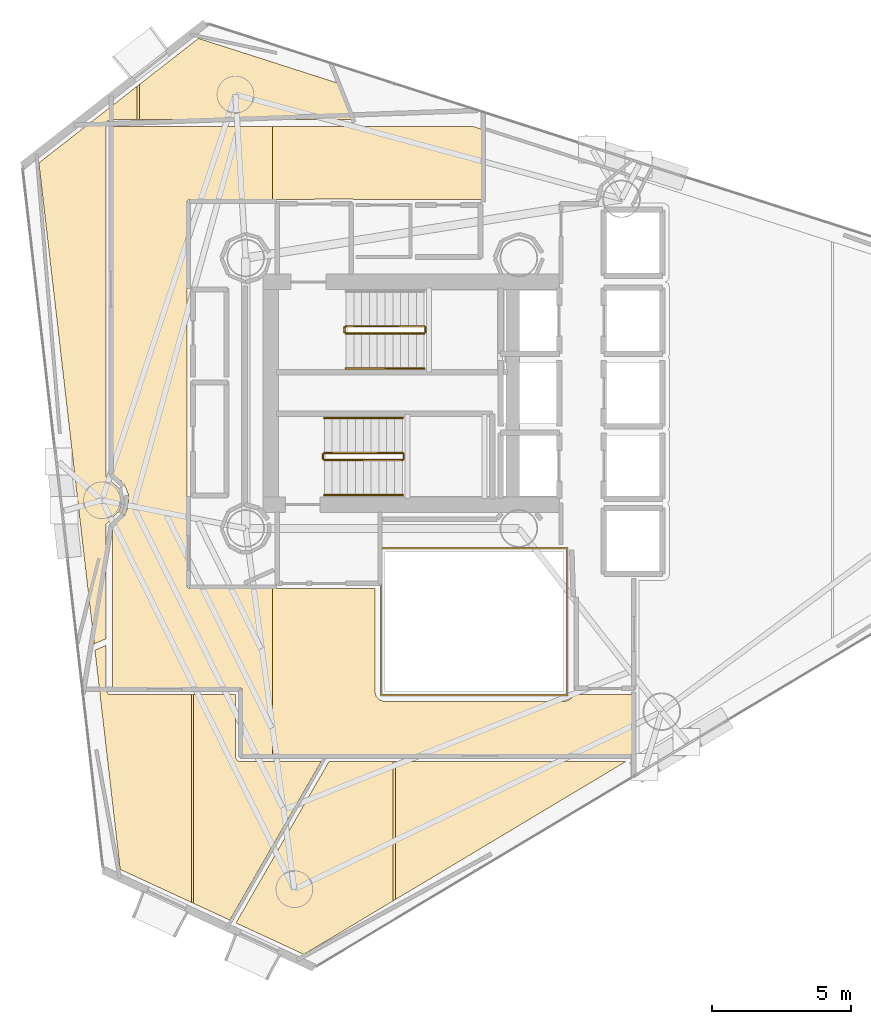
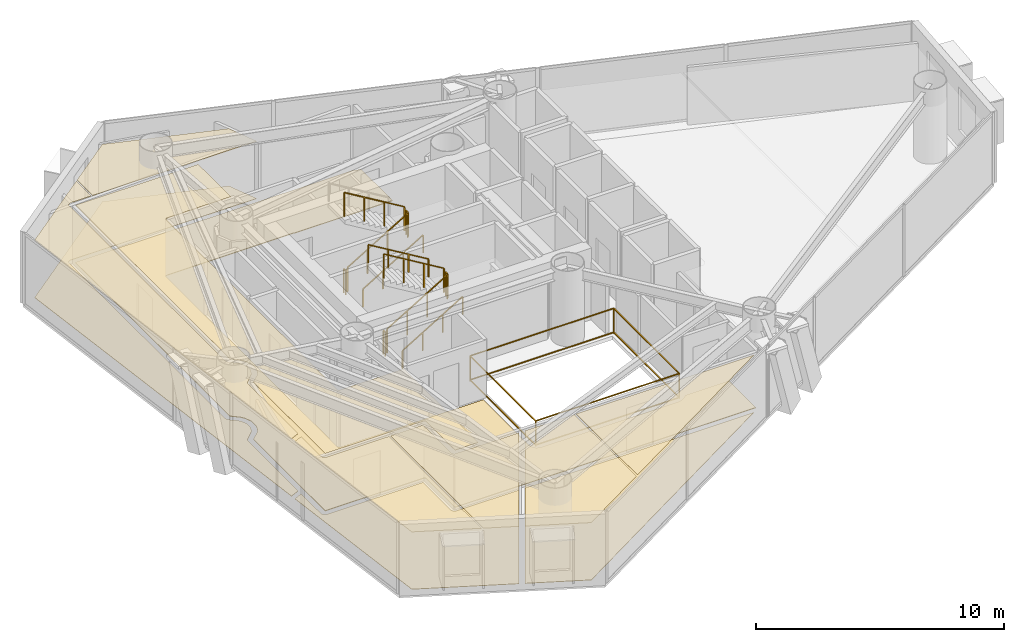
# One storey, part 21 of 22: 12 railings, 11 coverings.
"""IFC4 building model written with IfcOpenShell, lengths in metres."""

from ifc_helpers import new_model, si_unit, direction, frame, origin, origin_2d, place, context, subcontext, project, spatial, polyline, rectangle, outline, extrude, material, layer, layer_set, type_object, element, save


model = new_model("IFC4")

# Units and contexts
model_context = context("Model", 3, precision=1e-05, world=origin(), true_north=direction((0.0, 1.0)))
body_context = subcontext(model_context, "Body", "Model", "MODEL_VIEW")
ifc_project = project(units=[si_unit("LENGTHUNIT", "METRE"), si_unit("AREAUNIT", "SQUARE_METRE"), si_unit("VOLUMEUNIT", "CUBIC_METRE"), si_unit("PLANEANGLEUNIT", "RADIAN"), si_unit("MASSUNIT", "GRAM", prefix="KILO")], contexts=[model_context])

# Site, building, storey
site_placement = place(None, origin())
site = spatial("IfcSite", under=ifc_project, at=site_placement, CompositionType="ELEMENT")
building_placement = place(site_placement, origin())
building = spatial("IfcBuilding", under=site, at=building_placement, Name="Qianvela Tower", CompositionType="ELEMENT")
storey_placement = place(building_placement, frame((0.0, 0.0, 173.5)))
storey = spatial("IfcBuildingStorey", under=building, at=storey_placement, Name="L44", CompositionType="ELEMENT", Elevation=173.5)

# Coverings
ifc_material_1 = material(Name="Perforated Mineral Acoustic Ceiling Tile")
ifc_layer_1 = layer(ifc_material_1, 0.02490234375)
ifc_layer_set_1 = layer_set([ifc_layer_1], Name="Perforated Mineral Acoustic Ceiling Tile")
covering_type_1 = type_object("IfcCoveringType", Name="COV-CEIL-ACOUSTIC-25", PredefinedType="CEILING", material=ifc_layer_set_1)
covering_1_placement = place(storey_placement, frame((0.0, 0.0, 2.81494140625)))
element("IfcCovering", 1, at=covering_1_placement, inside=storey, type_object=covering_type_1, Name="L44 Acoustic Ceiling Bay 1 L44 Floor Corridor", PredefinedType="CEILING", context=body_context, shape_type="SweptSolid", body=[
    extrude(outline(polyline([(24.4033203125, 25.04150390625), (24.40234375, 25.04931640625), (24.400390625, 25.056884765625), (24.397705078125, 25.064208984375), (24.26416015625, 25.386962890625), (24.2607421875, 25.393798828125), (24.256591796875, 25.400634765625), (24.251953125, 25.406982421875), (24.140625, 25.54248046875), (24.135498046875, 25.54833984375), (24.129638671875, 25.5537109375), (23.830078125, 25.799560546875), (23.830078125, 38.27001953125), (29.55517578125, 38.27001953125), (29.55517578125, 35.651123046875), (26.57958984375, 35.639892578125), (26.572021484375, 35.6396484375), (26.564208984375, 35.638427734375), (26.556396484375, 35.636474609375), (26.54931640625, 35.6337890625), (26.5419921875, 35.630615234375), (26.535400390625, 35.62646484375), (26.529052734375, 35.62158203125), (26.523193359375, 35.616455078125), (26.51806640625, 35.610595703125), (26.513427734375, 35.6044921875), (26.509521484375, 35.59765625), (26.506103515625, 35.590576171875), (26.50341796875, 35.583251953125), (26.50146484375, 35.57568359375), (26.50048828125, 35.56787109375), (26.5, 35.56005859375), (26.5, 21.780029296875), (26.50048828125, 21.772216796875), (26.50146484375, 21.764404296875), (26.50341796875, 21.7568359375), (26.506103515625, 21.74951171875), (26.509521484375, 21.7421875), (26.513427734375, 21.735595703125), (26.518310546875, 21.729248046875), (26.5234375, 21.723388671875), (26.529296875, 21.71826171875), (26.53564453125, 21.71337890625), (26.542236328125, 21.70947265625), (26.54931640625, 21.7060546875), (26.556884765625, 21.703369140625), (26.564453125, 21.701416015625), (26.572265625, 21.700439453125), (26.580078125, 21.699951171875), (29.55517578125, 21.699951171875), (29.55517578125, 15.72998046875), (28.47998046875, 15.72998046875), (28.47998046875, 18.050048828125), (28.4794921875, 18.057861328125), (28.478515625, 18.065673828125), (28.4765625, 18.0732421875), (28.473876953125, 18.08056640625), (28.470703125, 18.087646484375), (28.466552734375, 18.094482421875), (28.4619140625, 18.100830078125), (28.45654296875, 18.106689453125), (28.45068359375, 18.11181640625), (28.4443359375, 18.116455078125), (28.437744140625, 18.12060546875), (28.4306640625, 18.123779296875), (28.423095703125, 18.126708984375), (28.41552734375, 18.12841796875), (28.40771484375, 18.129638671875), (28.39990234375, 18.1298828125), (23.830078125, 18.1298828125), (23.830078125, 23.921142578125), (24.244384765625, 24.302978515625), (24.25048828125, 24.30908203125), (24.255859375, 24.31591796875), (24.26025390625, 24.3232421875), (24.26416015625, 24.3310546875), (24.397705078125, 24.65380859375), (24.400390625, 24.6611328125), (24.40234375, 24.668701171875), (24.4033203125, 24.676513671875), (24.40380859375, 24.684326171875), (24.40380859375, 25.03369140625), (24.4033203125, 25.04150390625)])), origin(), (0.0, 0.0, 1.0), 0.025146484375),
])
covering_2_placement = place(storey_placement, frame((0.0, 0.0, 2.81494140625)))
element("IfcCovering", 2, at=covering_2_placement, inside=storey, type_object=covering_type_1, Name="L44 Acoustic Ceiling Bay 1 Project Huddle Conference L44-01", PredefinedType="CEILING", context=body_context, shape_type="SweptSolid", body=[
    extrude(outline(polyline([(23.590087890625, 19.65478515625), (23.590087890625, 18.050048828125), (23.59033203125, 18.042724609375), (23.59130859375, 18.035400390625), (23.593017578125, 18.0283203125), (23.59521484375, 18.021484375), (23.59814453125, 18.014892578125), (23.601806640625, 18.00830078125), (23.605712890625, 18.002197265625), (23.66259765625, 17.92578125), (23.667724609375, 17.91943359375), (23.673583984375, 17.91357421875), (23.68017578125, 17.908447265625), (23.68701171875, 17.904052734375), (23.694580078125, 17.900146484375), (23.702392578125, 17.897216796875), (23.710205078125, 17.895263671875), (23.718505859375, 17.893798828125), (23.726806640625, 17.893310546875), (26.651123046875, 17.891357421875), (26.651123046875, 10.440185546875), (24.09912109375, 11.620849609375), (23.1953125, 19.478515625), (23.590087890625, 19.65478515625)])), origin(), (0.0, 0.0, 1.0), 0.025146484375),
])
covering_3_placement = place(storey_placement, frame((0.0, 0.0, 2.81494140625)))
element("IfcCovering", 3, at=covering_3_placement, inside=storey, type_object=covering_type_1, Name="L44 Acoustic Ceiling Bay 2 Project Huddle Conference L44-01", PredefinedType="CEILING", context=body_context, shape_type="SweptSolid", body=[
    extrude(outline(polyline([(28.239990234375, 17.89013671875), (28.239990234375, 15.64990234375), (28.240478515625, 15.641357421875), (28.241943359375, 15.6328125), (28.244140625, 15.62451171875), (28.247314453125, 15.616455078125), (28.25146484375, 15.60888671875), (28.293701171875, 15.538330078125), (28.29833984375, 15.531494140625), (28.303466796875, 15.525146484375), (28.309326171875, 15.519287109375), (28.31591796875, 15.514404296875), (28.32275390625, 15.510009765625), (28.330078125, 15.506103515625), (28.337890625, 15.50341796875), (28.345703125, 15.501220703125), (28.353759765625, 15.5), (28.362060546875, 15.49951171875), (31.307861328125, 15.490478515625), (28.0322265625, 9.801513671875), (26.731201171875, 10.4033203125), (26.731201171875, 17.89111328125), (28.239990234375, 17.89013671875)])), origin(), (0.0, 0.0, 1.0), 0.025146484375),
])
covering_4_placement = place(storey_placement, frame((0.0, 0.0, 2.81494140625)))
element("IfcCovering", 4, at=covering_4_placement, inside=storey, type_object=covering_type_1, Name="L44 Acoustic Ceiling Bay 1 Debate Lecture Classroom L44-02", PredefinedType="CEILING", context=body_context, shape_type="SweptSolid", body=[
    extrude(outline(polyline([(33.8896484375, 15.489990234375), (33.8896484375, 10.490478515625), (30.6875, 8.572998046875), (28.25439453125, 9.698486328125), (31.589111328125, 15.489990234375), (33.8896484375, 15.489990234375)])), origin(), (0.0, 0.0, 1.0), 0.025146484375),
])
covering_5_placement = place(storey_placement, frame((0.0, 0.0, 2.81494140625)))
element("IfcCovering", 5, at=covering_5_placement, inside=storey, type_object=covering_type_1, Name="L44 Acoustic Ceiling Bay 2 Debate Lecture Classroom L44-02", PredefinedType="CEILING", context=body_context, shape_type="SweptSolid", body=[
    extrude(outline(polyline([(42.239013671875, 15.489990234375), (33.969482421875, 10.538330078125), (33.969482421875, 15.489990234375), (42.239013671875, 15.489990234375)])), origin(), (0.0, 0.0, 1.0), 0.025146484375),
])
covering_6_placement = place(storey_placement, frame((0.0, 0.0, 2.81494140625)))
element("IfcCovering", 6, at=covering_6_placement, inside=storey, type_object=covering_type_1, Name="L44 Acoustic Ceiling Bay 1 Quiet Reading Study L44-05", PredefinedType="CEILING", context=body_context, shape_type="SweptSolid", body=[
    extrude(outline(polyline([(23.75, 38.510009765625), (23.741455078125, 38.509521484375), (23.73291015625, 38.508056640625), (23.724609375, 38.505859375), (23.716552734375, 38.502685546875), (23.708984375, 38.49853515625), (23.63818359375, 38.456298828125), (23.631591796875, 38.45166015625), (23.625244140625, 38.446533203125), (23.619384765625, 38.440673828125), (23.6142578125, 38.43408203125), (23.60986328125, 38.42724609375), (23.606201171875, 38.419921875), (23.603271484375, 38.412109375), (23.601318359375, 38.404052734375), (23.599853515625, 38.39599609375), (23.599365234375, 38.3876953125), (23.590087890625, 25.76171875), (23.59033203125, 25.75390625), (23.591552734375, 25.74609375), (23.593505859375, 25.738525390625), (23.59619140625, 25.731201171875), (23.619384765625, 25.674560546875), (23.622802734375, 25.66748046875), (23.626953125, 25.660888671875), (23.631591796875, 25.654541015625), (23.63671875, 25.648681640625), (23.642578125, 25.643310546875), (23.965087890625, 25.378173828125), (24.051513671875, 25.273193359375), (24.163818359375, 25.001708984375), (24.163818359375, 24.71630859375), (24.055419921875, 24.454345703125), (23.614501953125, 24.021484375), (23.60888671875, 24.015869140625), (23.604248046875, 24.009521484375), (23.60009765625, 24.002685546875), (23.5966796875, 23.99560546875), (23.593994140625, 23.988037109375), (23.592041015625, 23.980224609375), (23.5908203125, 23.972412109375), (23.59033203125, 23.964599609375), (23.590087890625, 19.892333984375), (23.17041015625, 19.70947265625), (21.184814453125, 36.9619140625), (24.70703125, 39.70849609375), (24.70703125, 38.510009765625), (23.75, 38.510009765625)])), origin(), (0.0, 0.0, 1.0), 0.025146484375),
])
covering_7_placement = place(storey_placement, frame((0.0, 0.0, 2.81494140625)))
element("IfcCovering", 7, at=covering_7_placement, inside=storey, type_object=covering_type_1, Name="L44 Acoustic Ceiling Bay 2 Quiet Reading Study L44-05", PredefinedType="CEILING", context=body_context, shape_type="SweptSolid", body=[
    extrude(outline(polyline([(31.88232421875, 39.829833984375), (32.406005859375, 38.510009765625), (24.787109375, 38.510009765625), (24.787109375, 39.770751953125), (26.90966796875, 41.42578125), (31.88232421875, 39.829833984375)])), origin(), (0.0, 0.0, 1.0), 0.025146484375),
])
ifc_material_2 = material(Name="Engineered Acoustic Oak Timber Flooring", Category="wood")
ifc_layer_2 = layer(ifc_material_2, 0.02001953125)
ifc_layer_set_2 = layer_set([ifc_layer_2], Name="Engineered Acoustic Oak Timber Flooring")
covering_type_2 = type_object("IfcCoveringType", Name="COV-FLOOR-OAK-20", PredefinedType="FLOORING", material=ifc_layer_set_2)
covering_8_placement = place(storey_placement, origin())
element("IfcCovering", 8, at=covering_8_placement, inside=storey, type_object=covering_type_2, Name="L44 Finish Flooring Project Huddle Conference L44-01", PredefinedType="FLOORING", context=body_context, shape_type="SweptSolid", body=[
    extrude(outline(polyline([(23.1953125, 19.478515625), (23.590087890625, 19.65478515625), (23.590087890625, 18.050048828125), (23.59033203125, 18.042724609375), (23.59130859375, 18.035400390625), (23.593017578125, 18.0283203125), (23.59521484375, 18.021484375), (23.59814453125, 18.014892578125), (23.601806640625, 18.00830078125), (23.605712890625, 18.002197265625), (23.66259765625, 17.92578125), (23.667724609375, 17.91943359375), (23.673583984375, 17.91357421875), (23.68017578125, 17.908447265625), (23.68701171875, 17.904052734375), (23.694580078125, 17.900146484375), (23.702392578125, 17.897216796875), (23.710205078125, 17.895263671875), (23.718505859375, 17.893798828125), (23.726806640625, 17.893310546875), (28.239990234375, 17.89013671875), (28.239990234375, 15.64990234375), (28.240478515625, 15.641357421875), (28.241943359375, 15.6328125), (28.244140625, 15.62451171875), (28.247314453125, 15.616455078125), (28.25146484375, 15.60888671875), (28.293701171875, 15.538330078125), (28.29833984375, 15.531494140625), (28.303466796875, 15.525146484375), (28.309326171875, 15.519287109375), (28.31591796875, 15.514404296875), (28.32275390625, 15.510009765625), (28.330078125, 15.506103515625), (28.337890625, 15.50341796875), (28.345703125, 15.501220703125), (28.353759765625, 15.5), (28.362060546875, 15.49951171875), (31.307861328125, 15.490478515625), (28.0322265625, 9.801513671875), (24.09912109375, 11.620849609375), (23.1953125, 19.478515625)])), origin(), (0.0, 0.0, 1.0), 0.02001953125),
])
covering_9_placement = place(storey_placement, origin())
element("IfcCovering", 9, at=covering_9_placement, inside=storey, type_object=covering_type_2, Name="L44 Finish Flooring Debate Lecture Classroom L44-02", PredefinedType="FLOORING", context=body_context, shape_type="SweptSolid", body=[
    extrude(outline(polyline([(31.589111328125, 15.489990234375), (42.239013671875, 15.489990234375), (30.6875, 8.572998046875), (28.25439453125, 9.698486328125), (31.589111328125, 15.489990234375)])), origin(), (0.0, 0.0, 1.0), 0.02001953125),
])
covering_10_placement = place(storey_placement, origin())
element("IfcCovering", 10, at=covering_10_placement, inside=storey, type_object=covering_type_2, Name="L44 Finish Flooring Quiet Reading Study L44-05", PredefinedType="FLOORING", context=body_context, shape_type="SweptSolid", body=[
    extrude(outline(polyline([(26.90966796875, 41.42578125), (31.88232421875, 39.829833984375), (32.406005859375, 38.510009765625), (23.75, 38.510009765625), (23.741455078125, 38.509521484375), (23.73291015625, 38.508056640625), (23.724609375, 38.505859375), (23.716552734375, 38.502685546875), (23.708984375, 38.49853515625), (23.63818359375, 38.456298828125), (23.631591796875, 38.45166015625), (23.625244140625, 38.446533203125), (23.619384765625, 38.440673828125), (23.6142578125, 38.43408203125), (23.60986328125, 38.42724609375), (23.606201171875, 38.419921875), (23.603271484375, 38.412109375), (23.601318359375, 38.404052734375), (23.599853515625, 38.39599609375), (23.599365234375, 38.3876953125), (23.590087890625, 25.76171875), (23.59033203125, 25.75390625), (23.591552734375, 25.74609375), (23.593505859375, 25.738525390625), (23.59619140625, 25.731201171875), (23.619384765625, 25.674560546875), (23.622802734375, 25.66748046875), (23.626953125, 25.660888671875), (23.631591796875, 25.654541015625), (23.63671875, 25.648681640625), (23.642578125, 25.643310546875), (23.965087890625, 25.378173828125), (24.051513671875, 25.273193359375), (24.163818359375, 25.001708984375), (24.163818359375, 24.71630859375), (24.055419921875, 24.454345703125), (23.614501953125, 24.021484375), (23.60888671875, 24.015869140625), (23.604248046875, 24.009521484375), (23.60009765625, 24.002685546875), (23.5966796875, 23.99560546875), (23.593994140625, 23.988037109375), (23.592041015625, 23.980224609375), (23.5908203125, 23.972412109375), (23.59033203125, 23.964599609375), (23.590087890625, 19.892333984375), (23.17041015625, 19.70947265625), (21.184814453125, 36.9619140625), (26.90966796875, 41.42578125)])), origin(), (0.0, 0.0, 1.0), 0.02001953125),
])
ifc_material_3 = material(Name="Honed Stone Terrazzo Flooring", Category="masonry")
ifc_layer_3 = layer(ifc_material_3, 0.030029296875)
ifc_layer_set_3 = layer_set([ifc_layer_3], Name="Honed Stone Terrazzo Flooring")
covering_type_3 = type_object("IfcCoveringType", Name="COV-FLOOR-TERRAZZO-30", PredefinedType="FLOORING", material=ifc_layer_set_3)
covering_11_placement = place(storey_placement, origin())
element("IfcCovering", 11, at=covering_11_placement, inside=storey, type_object=covering_type_3, Name="L44 Finish Flooring L44 Floor Corridor", PredefinedType="FLOORING", context=body_context, shape_type="SweptSolid", body=[
    extrude(outline(polyline([(24.40380859375, 25.03369140625), (24.4033203125, 25.04150390625), (24.40234375, 25.04931640625), (24.400390625, 25.056884765625), (24.397705078125, 25.064208984375), (24.26416015625, 25.386962890625), (24.2607421875, 25.393798828125), (24.256591796875, 25.400634765625), (24.251953125, 25.406982421875), (24.140625, 25.54248046875), (24.135498046875, 25.54833984375), (24.129638671875, 25.5537109375), (23.830078125, 25.799560546875), (23.830078125, 38.27001953125), (36.742919921875, 38.27001953125), (37.070068359375, 38.1650390625), (37.070068359375, 35.639892578125), (32.5244140625, 35.639892578125), (32.43798828125, 35.659912109375), (32.428955078125, 35.66162109375), (32.419677734375, 35.662109375), (26.57958984375, 35.639892578125), (26.572021484375, 35.6396484375), (26.564208984375, 35.638427734375), (26.556396484375, 35.636474609375), (26.54931640625, 35.6337890625), (26.5419921875, 35.630615234375), (26.535400390625, 35.62646484375), (26.529052734375, 35.62158203125), (26.523193359375, 35.616455078125), (26.51806640625, 35.610595703125), (26.513427734375, 35.6044921875), (26.509521484375, 35.59765625), (26.506103515625, 35.590576171875), (26.50341796875, 35.583251953125), (26.50146484375, 35.57568359375), (26.50048828125, 35.56787109375), (26.5, 35.56005859375), (26.5, 21.780029296875), (26.50048828125, 21.772216796875), (26.50146484375, 21.764404296875), (26.50341796875, 21.7568359375), (26.506103515625, 21.74951171875), (26.509521484375, 21.7421875), (26.513427734375, 21.735595703125), (26.518310546875, 21.729248046875), (26.5234375, 21.723388671875), (26.529296875, 21.71826171875), (26.53564453125, 21.71337890625), (26.542236328125, 21.70947265625), (26.54931640625, 21.7060546875), (26.556884765625, 21.703369140625), (26.564453125, 21.701416015625), (26.572265625, 21.700439453125), (26.580078125, 21.699951171875), (33.239990234375, 21.699951171875), (33.239990234375, 18.0), (33.240478515625, 17.990234375), (33.242431640625, 17.980712890625), (33.275390625, 17.8486328125), (33.277587890625, 17.841064453125), (33.28076171875, 17.833740234375), (33.284423828125, 17.826904296875), (33.288818359375, 17.8203125), (33.293701171875, 17.814208984375), (33.38525390625, 17.71337890625), (33.391357421875, 17.70751953125), (33.398193359375, 17.701904296875), (33.405517578125, 17.697509765625), (33.4130859375, 17.693603515625), (33.421142578125, 17.690673828125), (33.576904296875, 17.643310546875), (33.58447265625, 17.6416015625), (33.59228515625, 17.640380859375), (33.60009765625, 17.639892578125), (40.0, 17.639892578125), (40.006591796875, 17.640380859375), (40.012939453125, 17.64111328125), (40.019287109375, 17.642333984375), (40.1513671875, 17.675537109375), (40.15869140625, 17.677734375), (40.166015625, 17.6806640625), (40.172607421875, 17.68408203125), (40.17919921875, 17.6884765625), (40.45947265625, 17.89306640625), (42.469970703125, 17.899658203125), (42.469970703125, 15.72998046875), (28.47998046875, 15.72998046875), (28.47998046875, 18.050048828125), (28.4794921875, 18.057861328125), (28.478515625, 18.065673828125), (28.4765625, 18.0732421875), (28.473876953125, 18.08056640625), (28.470703125, 18.087646484375), (28.466552734375, 18.094482421875), (28.4619140625, 18.100830078125), (28.45654296875, 18.106689453125), (28.45068359375, 18.11181640625), (28.4443359375, 18.116455078125), (28.437744140625, 18.12060546875), (28.4306640625, 18.123779296875), (28.423095703125, 18.126708984375), (28.41552734375, 18.12841796875), (28.40771484375, 18.129638671875), (28.39990234375, 18.1298828125), (23.830078125, 18.1298828125), (23.830078125, 23.921142578125), (24.244384765625, 24.302978515625), (24.25048828125, 24.30908203125), (24.255859375, 24.31591796875), (24.26025390625, 24.3232421875), (24.26416015625, 24.3310546875), (24.397705078125, 24.65380859375), (24.400390625, 24.6611328125), (24.40234375, 24.668701171875), (24.4033203125, 24.676513671875), (24.40380859375, 24.684326171875), (24.40380859375, 25.03369140625)])), origin(), (0.0, 0.0, 1.0), 0.030029296875),
])

# Railings
ifc_material_4 = material(Name="Laminated Safety Glass and Stainless Steel 316", Category="steel")
railing_type_1 = type_object("IfcRailingType", Name="RL-ATRIUM-GUARD-1250", PredefinedType="GUARDRAIL", material=ifc_material_4)
railing_1_placement = place(storey_placement, frame((33.4599609375, 17.860107421875, 0.0)))
element("IfcRailing", 12, at=railing_1_placement, inside=storey, type_object=railing_type_1, Name="L44 Atrium Edge Guardrail 1", PredefinedType="GUARDRAIL", context=body_context, shape_type="SweptSolid", body=[
    extrude(rectangle(XDim=0.050048828125, YDim=0.0400390625, at=origin_2d()), frame((0.0, 0.0, 1.22998046875), z_axis=(0.0, 1.0, 0.0), x_axis=(-1.0, 0.0, 0.0)), (0.0, 0.0, 1.0), 5.27978515625),
    extrude(rectangle(XDim=0.050048828125, YDim=0.0400390625, at=origin_2d()), frame((0.0, 0.0, 0.050048828125), z_axis=(0.0, 1.0, 0.0), x_axis=(-1.0, 0.0, 0.0)), (0.0, 0.0, 1.0), 5.27978515625),
    extrude(rectangle(XDim=0.050048828125, YDim=0.0400390625, at=origin_2d()), frame((0.0, 5.27978515625, 1.22998046875), z_axis=(1.0, 0.0, 0.0), x_axis=(0.0, 1.0, 0.0)), (0.0, 0.0, 1.0), 6.679931640625),
    extrude(rectangle(XDim=0.050048828125, YDim=0.0400390625, at=origin_2d()), frame((0.0, 5.27978515625, 0.050048828125), z_axis=(1.0, 0.0, 0.0), x_axis=(0.0, 1.0, 0.0)), (0.0, 0.0, 1.0), 6.679931640625),
    extrude(rectangle(XDim=0.050048828125, YDim=0.0400390625, at=origin_2d()), frame((6.679931640625, 5.27978515625, 1.22998046875), z_axis=(0.0, -1.0, 0.0), x_axis=(1.0, 0.0, 0.0)), (0.0, 0.0, 1.0), 5.27978515625),
    extrude(rectangle(XDim=0.050048828125, YDim=0.0400390625, at=origin_2d()), frame((6.679931640625, 5.27978515625, 0.050048828125), z_axis=(0.0, -1.0, 0.0), x_axis=(1.0, 0.0, 0.0)), (0.0, 0.0, 1.0), 5.27978515625),
    extrude(rectangle(XDim=0.050048828125, YDim=0.0400390625, at=origin_2d()), frame((6.679931640625, 0.0, 1.22998046875), z_axis=(-1.0, 0.0, 0.0), x_axis=(0.0, -1.0, 0.0)), (0.0, 0.0, 1.0), 6.679931640625),
    extrude(rectangle(XDim=0.050048828125, YDim=0.0400390625, at=origin_2d()), frame((6.679931640625, 0.0, 0.050048828125), z_axis=(-1.0, 0.0, 0.0), x_axis=(0.0, -1.0, 0.0)), (0.0, 0.0, 1.0), 6.679931640625),
    extrude(rectangle(XDim=0.050048828125, YDim=0.050048828125, at=origin_2d()), origin(), (0.0, 0.0, 1.0), 1.2099609375),
    extrude(rectangle(XDim=0.050048828125, YDim=0.050048828125, at=origin_2d()), frame((0.0, 5.27978515625, 0.0)), (0.0, 0.0, 1.0), 1.2099609375),
    extrude(rectangle(XDim=0.050048828125, YDim=0.050048828125, at=origin_2d()), frame((6.679931640625, 5.27978515625, 0.0)), (0.0, 0.0, 1.0), 1.2099609375),
    extrude(rectangle(XDim=0.050048828125, YDim=0.050048828125, at=origin_2d()), frame((6.679931640625, 0.0, 0.0)), (0.0, 0.0, 1.0), 1.2099609375),
])
ifc_material_5 = material(Name="Painted Tubular Steel Q355B", Category="steel")
railing_type_2 = type_object("IfcRailingType", Name="RL-STAIR-GUARD-1200", PredefinedType="GUARDRAIL", material=ifc_material_5)
railing_2_placement = place(storey_placement, frame((32.199951171875, 30.840087890625, 0.168212890625)))
element("IfcRailing", 13, at=railing_2_placement, inside=storey, type_object=railing_type_2, Name="L44 ST-1 stair guard 1", PredefinedType="GUARDRAIL", context=body_context, shape_type="SweptSolid", body=[
    extrude(rectangle(XDim=0.050048828125, YDim=0.0400390625, at=origin_2d()), frame((0.0, 0.0, 1.179931640625), z_axis=(0.857242210791, 0.0, 0.514913383045), x_axis=(0.0, 1.0, 0.0)), (0.0, 0.0, 1.0), 3.266357421875),
    extrude(rectangle(XDim=0.050048828125, YDim=0.050048828125, at=origin_2d()), origin(), (0.0, 0.0, 1.0), 1.159912109375),
    extrude(rectangle(XDim=0.050048828125, YDim=0.050048828125, at=origin_2d()), frame((0.933349609375, 0.0, 0.560546875)), (0.0, 0.0, 1.0), 1.159912109375),
    extrude(rectangle(XDim=0.050048828125, YDim=0.050048828125, at=origin_2d()), frame((1.86669921875, 0.0, 1.121337890625)), (0.0, 0.0, 1.0), 1.159912109375),
    extrude(rectangle(XDim=0.050048828125, YDim=0.050048828125, at=origin_2d()), frame((2.800048828125, 0.0, 1.681884765625)), (0.0, 0.0, 1.0), 1.159912109375),
])
railing_3_placement = place(storey_placement, frame((35.050048828125, 30.889892578125, 1.85009765625)))
element("IfcRailing", 14, at=railing_3_placement, inside=storey, type_object=railing_type_2, Name="L44 ST-1 stair guard 2", PredefinedType="GUARDRAIL", context=body_context, shape_type="SweptSolid", body=[
    extrude(rectangle(XDim=0.050048828125, YDim=0.0400390625, at=origin_2d()), frame((0.0, 0.0, 1.179931640625), z_axis=(0.0, 1.0, 0.0), x_axis=(-1.0, 0.0, 0.0)), (0.0, 0.0, 1.0), 0.16015625),
    extrude(rectangle(XDim=0.050048828125, YDim=0.050048828125, at=origin_2d()), origin(), (0.0, 0.0, 1.0), 1.159912109375),
    extrude(rectangle(XDim=0.050048828125, YDim=0.050048828125, at=origin_2d()), frame((0.0, 0.16015625, 0.0)), (0.0, 0.0, 1.0), 1.159912109375),
])
railing_4_placement = place(storey_placement, frame((35.0, 31.10009765625, 2.01806640625)))
element("IfcRailing", 15, at=railing_4_placement, inside=storey, type_object=railing_type_2, Name="L44 ST-1 stair guard 3", PredefinedType="GUARDRAIL", context=body_context, shape_type="SweptSolid", body=[
    extrude(rectangle(XDim=0.050048828125, YDim=0.0400390625, at=origin_2d()), frame((0.0, 0.0, 1.179931640625), z_axis=(-0.857242210791, 0.0, 0.514913383045), x_axis=(0.0, -1.0, 0.0)), (0.0, 0.0, 1.0), 3.266357421875),
    extrude(rectangle(XDim=0.050048828125, YDim=0.050048828125, at=origin_2d()), origin(), (0.0, 0.0, 1.0), 1.159912109375),
    extrude(rectangle(XDim=0.050048828125, YDim=0.050048828125, at=origin_2d()), frame((-0.933349609375, 0.0, 0.560546875)), (0.0, 0.0, 1.0), 1.159912109375),
    extrude(rectangle(XDim=0.050048828125, YDim=0.050048828125, at=origin_2d()), frame((-1.86669921875, 0.0, 1.121337890625)), (0.0, 0.0, 1.0), 1.159912109375),
    extrude(rectangle(XDim=0.050048828125, YDim=0.050048828125, at=origin_2d()), frame((-2.800048828125, 0.0, 1.681884765625)), (0.0, 0.0, 1.0), 1.159912109375),
])
railing_5_placement = place(storey_placement, frame((32.14990234375, 30.889892578125, 0.0)))
element("IfcRailing", 16, at=railing_5_placement, inside=storey, type_object=railing_type_2, Name="L44 ST-1 stair guard 4", PredefinedType="GUARDRAIL", context=body_context, shape_type="SweptSolid", body=[
    extrude(rectangle(XDim=0.050048828125, YDim=0.0400390625, at=origin_2d()), frame((0.0, 0.0, 1.179931640625), z_axis=(0.0, 1.0, 0.0), x_axis=(-1.0, 0.0, 0.0)), (0.0, 0.0, 1.0), 0.16015625),
    extrude(rectangle(XDim=0.050048828125, YDim=0.050048828125, at=origin_2d()), origin(), (0.0, 0.0, 1.0), 1.159912109375),
    extrude(rectangle(XDim=0.050048828125, YDim=0.050048828125, at=origin_2d()), frame((0.0, 0.16015625, 0.0)), (0.0, 0.0, 1.0), 1.159912109375),
])
railing_6_placement = place(storey_placement, frame((31.419921875, 26.300048828125, 0.168212890625)))
element("IfcRailing", 17, at=railing_6_placement, inside=storey, type_object=railing_type_2, Name="L44 ST-2 stair guard 1", PredefinedType="GUARDRAIL", context=body_context, shape_type="SweptSolid", body=[
    extrude(rectangle(XDim=0.050048828125, YDim=0.0400390625, at=origin_2d()), frame((0.0, 0.0, 1.179931640625), z_axis=(0.857242210791, 0.0, 0.514913383045), x_axis=(0.0, 1.0, 0.0)), (0.0, 0.0, 1.0), 3.266357421875),
    extrude(rectangle(XDim=0.050048828125, YDim=0.050048828125, at=origin_2d()), origin(), (0.0, 0.0, 1.0), 1.159912109375),
    extrude(rectangle(XDim=0.050048828125, YDim=0.050048828125, at=origin_2d()), frame((0.933349609375, 0.0, 0.560546875)), (0.0, 0.0, 1.0), 1.159912109375),
    extrude(rectangle(XDim=0.050048828125, YDim=0.050048828125, at=origin_2d()), frame((1.86669921875, 0.0, 1.121337890625)), (0.0, 0.0, 1.0), 1.159912109375),
    extrude(rectangle(XDim=0.050048828125, YDim=0.050048828125, at=origin_2d()), frame((2.800048828125, 0.0, 1.681884765625)), (0.0, 0.0, 1.0), 1.159912109375),
])
railing_7_placement = place(storey_placement, frame((34.27001953125, 26.35009765625, 1.85009765625)))
element("IfcRailing", 18, at=railing_7_placement, inside=storey, type_object=railing_type_2, Name="L44 ST-2 stair guard 2", PredefinedType="GUARDRAIL", context=body_context, shape_type="SweptSolid", body=[
    extrude(rectangle(XDim=0.050048828125, YDim=0.0400390625, at=origin_2d()), frame((0.0, 0.0, 1.179931640625), z_axis=(0.0, 1.0, 0.0), x_axis=(-1.0, 0.0, 0.0)), (0.0, 0.0, 1.0), 0.159912109375),
    extrude(rectangle(XDim=0.050048828125, YDim=0.050048828125, at=origin_2d()), origin(), (0.0, 0.0, 1.0), 1.159912109375),
    extrude(rectangle(XDim=0.050048828125, YDim=0.050048828125, at=origin_2d()), frame((0.0, 0.159912109375, 0.0)), (0.0, 0.0, 1.0), 1.159912109375),
])
railing_8_placement = place(storey_placement, frame((34.219970703125, 26.56005859375, 2.01806640625)))
element("IfcRailing", 19, at=railing_8_placement, inside=storey, type_object=railing_type_2, Name="L44 ST-2 stair guard 3", PredefinedType="GUARDRAIL", context=body_context, shape_type="SweptSolid", body=[
    extrude(rectangle(XDim=0.050048828125, YDim=0.0400390625, at=origin_2d()), frame((0.0, 0.0, 1.179931640625), z_axis=(-0.857242210791, 0.0, 0.514913383045), x_axis=(0.0, -1.0, 0.0)), (0.0, 0.0, 1.0), 3.266357421875),
    extrude(rectangle(XDim=0.050048828125, YDim=0.050048828125, at=origin_2d()), origin(), (0.0, 0.0, 1.0), 1.159912109375),
    extrude(rectangle(XDim=0.050048828125, YDim=0.050048828125, at=origin_2d()), frame((-0.933349609375, 0.0, 0.560546875)), (0.0, 0.0, 1.0), 1.159912109375),
    extrude(rectangle(XDim=0.050048828125, YDim=0.050048828125, at=origin_2d()), frame((-1.86669921875, 0.0, 1.121337890625)), (0.0, 0.0, 1.0), 1.159912109375),
    extrude(rectangle(XDim=0.050048828125, YDim=0.050048828125, at=origin_2d()), frame((-2.800048828125, 0.0, 1.681884765625)), (0.0, 0.0, 1.0), 1.159912109375),
])
railing_9_placement = place(storey_placement, frame((31.3701171875, 26.35009765625, 0.0)))
element("IfcRailing", 20, at=railing_9_placement, inside=storey, type_object=railing_type_2, Name="L44 ST-2 stair guard 4", PredefinedType="GUARDRAIL", context=body_context, shape_type="SweptSolid", body=[
    extrude(rectangle(XDim=0.050048828125, YDim=0.0400390625, at=origin_2d()), frame((0.0, 0.0, 1.179931640625), z_axis=(0.0, 1.0, 0.0), x_axis=(-1.0, 0.0, 0.0)), (0.0, 0.0, 1.0), 0.159912109375),
    extrude(rectangle(XDim=0.050048828125, YDim=0.050048828125, at=origin_2d()), origin(), (0.0, 0.0, 1.0), 1.159912109375),
    extrude(rectangle(XDim=0.050048828125, YDim=0.050048828125, at=origin_2d()), frame((0.0, 0.159912109375, 0.0)), (0.0, 0.0, 1.0), 1.159912109375),
])
ifc_material_6 = material(Name="Brushed Stainless Steel 304", Category="steel")
railing_type_3 = type_object("IfcRailingType", Name="RL-STAIR-HANDRAIL-900", PredefinedType="HANDRAIL", material=ifc_material_6)
for number, where, name in (
    (21, (32.199951171875, 29.590087890625, 0.168212890625), "L44 ST-1 stair handrail 1"),
    (22, (31.419921875, 25.050048828125, 0.168212890625), "L44 ST-2 stair handrail 1"),
):
    element("IfcRailing", number, at=place(storey_placement, frame(where)), inside=storey, type_object=railing_type_3, Name=name, PredefinedType="HANDRAIL", context=body_context, shape_type="SweptSolid", body=[
        extrude(rectangle(XDim=0.050048828125, YDim=0.0400390625, at=origin_2d()), frame((0.0, 0.0, 0.8798828125), z_axis=(0.857242210791, 0.0, 0.514913383045), x_axis=(0.0, 1.0, 0.0)), (0.0, 0.0, 1.0), 3.266357421875),
        extrude(rectangle(XDim=0.050048828125, YDim=0.050048828125, at=origin_2d()), origin(), (0.0, 0.0, 1.0), 0.85986328125),
        extrude(rectangle(XDim=0.050048828125, YDim=0.050048828125, at=origin_2d()), frame((0.933349609375, 0.0, 0.560546875)), (0.0, 0.0, 1.0), 0.85986328125),
        extrude(rectangle(XDim=0.050048828125, YDim=0.050048828125, at=origin_2d()), frame((1.86669921875, 0.0, 1.121337890625)), (0.0, 0.0, 1.0), 0.85986328125),
        extrude(rectangle(XDim=0.050048828125, YDim=0.050048828125, at=origin_2d()), frame((2.800048828125, 0.0, 1.681884765625)), (0.0, 0.0, 1.0), 0.85986328125),
    ])
railing_10_placement = place(storey_placement, frame((34.219970703125, 27.81005859375, 2.01806640625)))
element("IfcRailing", 23, at=railing_10_placement, inside=storey, type_object=railing_type_3, Name="L44 ST-2 stair handrail 2", PredefinedType="HANDRAIL", context=body_context, shape_type="SweptSolid", body=[
    extrude(rectangle(XDim=0.050048828125, YDim=0.0400390625, at=origin_2d()), frame((0.0, 0.0, 0.8798828125), z_axis=(-0.857242210791, 0.0, 0.514913383045), x_axis=(0.0, -1.0, 0.0)), (0.0, 0.0, 1.0), 3.266357421875),
    extrude(rectangle(XDim=0.050048828125, YDim=0.050048828125, at=origin_2d()), origin(), (0.0, 0.0, 1.0), 0.85986328125),
    extrude(rectangle(XDim=0.050048828125, YDim=0.050048828125, at=origin_2d()), frame((-0.933349609375, 0.0, 0.560546875)), (0.0, 0.0, 1.0), 0.85986328125),
    extrude(rectangle(XDim=0.050048828125, YDim=0.050048828125, at=origin_2d()), frame((-1.86669921875, 0.0, 1.121337890625)), (0.0, 0.0, 1.0), 0.85986328125),
    extrude(rectangle(XDim=0.050048828125, YDim=0.050048828125, at=origin_2d()), frame((-2.800048828125, 0.0, 1.681884765625)), (0.0, 0.0, 1.0), 0.85986328125),
])

save(model, "model.ifc")
